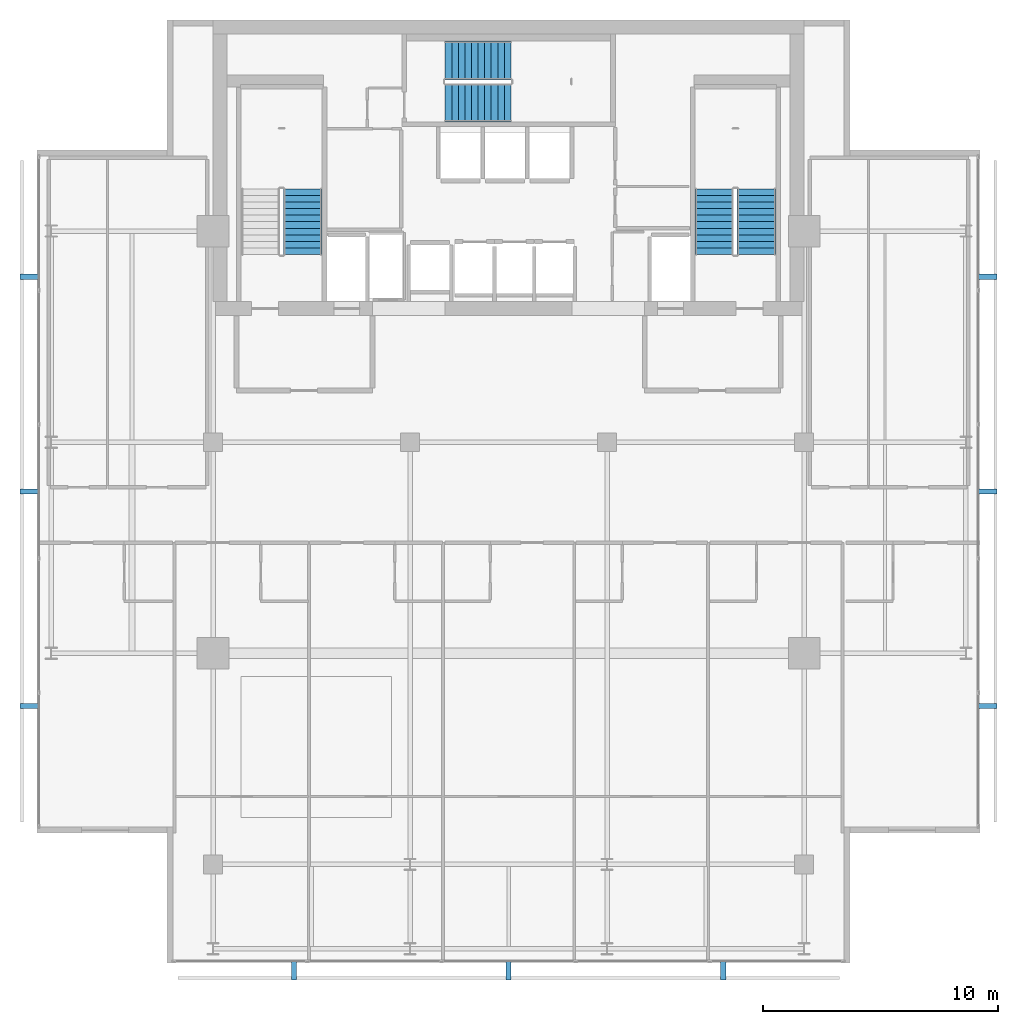
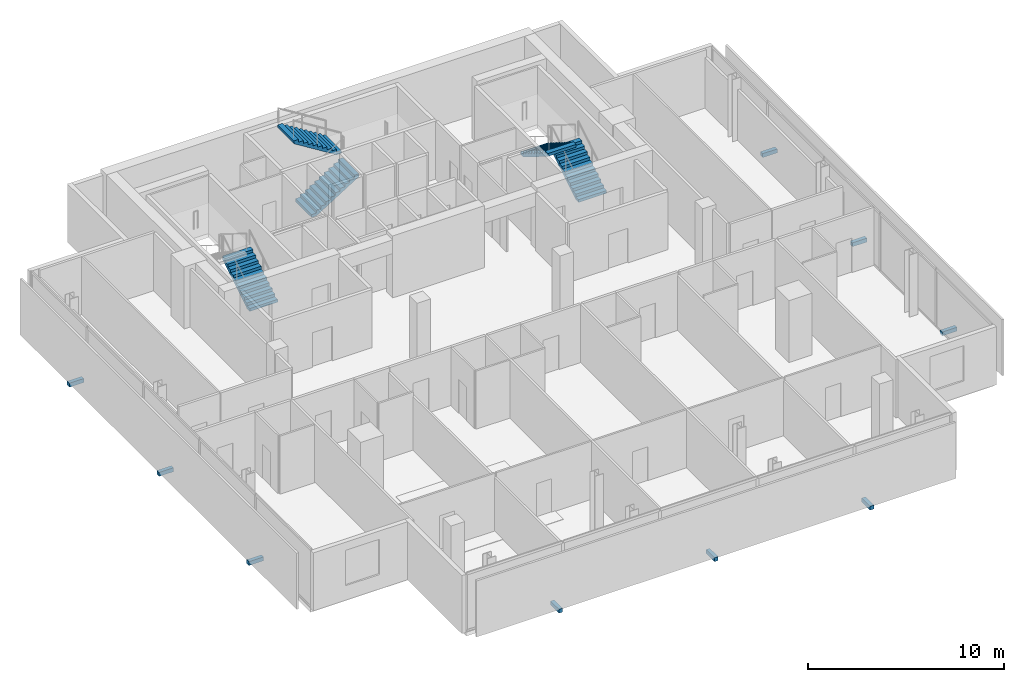
# One storey, part 20 of 24: 9 discrete accessories, 5 stair flights, 3 elements without a shape of their own.
"""IFC4 building model written with IfcOpenShell, lengths in metres."""

from ifc_helpers import new_model, si_unit, direction, frame, origin, origin_2d, place, context, subcontext, project, spatial, polyline, rectangle, outline, extrude, material, type_object, element, aggregate, save


model = new_model("IFC4")

# Units and contexts
model_context = context("Model", 3, precision=1e-05, world=origin(), true_north=direction((0.0, 1.0)))
body_context = subcontext(model_context, "Body", "Model", "MODEL_VIEW")
ifc_project = project(units=[si_unit("LENGTHUNIT", "METRE"), si_unit("AREAUNIT", "SQUARE_METRE"), si_unit("VOLUMEUNIT", "CUBIC_METRE"), si_unit("PLANEANGLEUNIT", "RADIAN"), si_unit("MASSUNIT", "GRAM", prefix="KILO")], contexts=[model_context])

# Site, building, storey
site_placement = place(None, origin())
site = spatial("IfcSite", under=ifc_project, at=site_placement, CompositionType="ELEMENT")
building_placement = place(site_placement, origin())
building = spatial("IfcBuilding", under=site, at=building_placement, Name="Maruvema Waterfront Hotel and Observation Tower", CompositionType="ELEMENT")
storey_placement = place(building_placement, frame((0.0, 0.0, 333.550048828125)))
storey = spatial("IfcBuildingStorey", under=building, at=storey_placement, Name="L82", CompositionType="ELEMENT", Elevation=333.550048828125)

# Stair, stair flight
ifc_material_1 = material(Name="Concrete C50/60", Category="concrete")
stair_type = type_object("IfcStairType", Name="Dogleg Exit Stair 1650 mm (22R x 175.0 mm)", PredefinedType="HALF_TURN_STAIR", material=ifc_material_1)
stair_1_placement = place(storey_placement, origin())
stair_1 = element("IfcStair", 1, at=stair_1_placement, inside=storey, type_object=stair_type, Name="L82 ST-01", PredefinedType="HALF_TURN_STAIR")
ifc_material_2 = material(Name="Concrete C50/60", Category="concrete")
stair_flight_type = type_object("IfcStairFlightType", Name="Reinforced Concrete Stair Flight 1650 mm (11R x 175.0 mm)", PredefinedType="STRAIGHT", material=ifc_material_2)
stair_flight_1_placement = place(storey_placement, frame((29.02490234375, 44.0, 0.0), z_axis=(0.0, 0.0, 1.0), x_axis=(0.0, 1.0, 0.0)))
stair_flight_1 = element("IfcStairFlight", 2, at=stair_flight_1_placement, type_object=stair_flight_type, Name="ST-01 flight 1", NumberOfRisers=11, NumberOfTreads=10, PredefinedType="STRAIGHT", RiserHeight=0.175, TreadLength=0.28, context=body_context, shape_type="SweptSolid", body=[
    extrude(outline(polyline([(0.0, 0.0), (0.0, 0.175048828125), (0.280029296875, 0.175048828125), (0.280029296875, 0.35009765625), (0.56005859375, 0.35009765625), (0.56005859375, 0.52490234375), (0.840087890625, 0.52490234375), (0.840087890625, 0.699951171875), (1.1201171875, 0.699951171875), (1.1201171875, 0.875), (1.39990234375, 0.875), (1.39990234375, 1.050048828125), (1.679931640625, 1.050048828125), (1.679931640625, 1.22509765625), (1.9599609375, 1.22509765625), (1.9599609375, 1.39990234375), (2.239990234375, 1.39990234375), (2.239990234375, 1.574951171875), (2.52001953125, 1.574951171875), (2.52001953125, 1.75), (2.800048828125, 1.75), (2.800048828125, 1.925048828125), (2.800048828125, 1.5732421875), (0.28271484375, 0.0), (0.0, 0.0)])), frame((0.0, 0.824951171875, 0.0), z_axis=(0.0, -1.0, 0.0), x_axis=(1.0, 0.0, 0.0)), (0.0, 0.0, 1.0), 1.64990234375),
])
aggregate(stair_1, [stair_flight_1])

# Stair, stair flights
stair_2_placement = place(storey_placement, origin())
stair_2 = element("IfcStair", 3, at=stair_2_placement, inside=storey, type_object=stair_type, Name="L82 ST-02", PredefinedType="HALF_TURN_STAIR")
stair_flight_2_placement = place(storey_placement, frame((35.10009765625, 50.47509765625, 0.0), z_axis=(0.0, 0.0, 1.0), x_axis=(1.0, 0.0, 0.0)))
stair_flight_2 = element("IfcStairFlight", 4, at=stair_flight_2_placement, type_object=stair_flight_type, Name="ST-02 flight 1", NumberOfRisers=11, NumberOfTreads=10, PredefinedType="STRAIGHT", RiserHeight=0.175, TreadLength=0.28, context=body_context, shape_type="SweptSolid", body=[
    extrude(outline(polyline([(0.0, 0.0), (0.0, 0.175048828125), (0.280029296875, 0.175048828125), (0.280029296875, 0.35009765625), (0.56005859375, 0.35009765625), (0.56005859375, 0.52490234375), (0.840087890625, 0.52490234375), (0.840087890625, 0.699951171875), (1.1201171875, 0.699951171875), (1.1201171875, 0.875), (1.39990234375, 0.875), (1.39990234375, 1.050048828125), (1.679931640625, 1.050048828125), (1.679931640625, 1.22509765625), (1.9599609375, 1.22509765625), (1.9599609375, 1.39990234375), (2.239990234375, 1.39990234375), (2.239990234375, 1.574951171875), (2.52001953125, 1.574951171875), (2.52001953125, 1.75), (2.800048828125, 1.75), (2.800048828125, 1.925048828125), (2.800048828125, 1.5732421875), (0.28271484375, 0.0), (0.0, 0.0)])), frame((0.0, 0.824951171875, 0.0), z_axis=(0.0, -1.0, 0.0), x_axis=(1.0, 0.0, 0.0)), (0.0, 0.0, 1.0), 1.64990234375),
])
stair_flight_3_placement = place(storey_placement, frame((37.89990234375, 52.27490234375, 1.925048828125), z_axis=(0.0, 0.0, 1.0), x_axis=(-1.0, 0.0, 0.0)))
stair_flight_3 = element("IfcStairFlight", 5, at=stair_flight_3_placement, type_object=stair_flight_type, Name="ST-02 flight 2", NumberOfRisers=11, NumberOfTreads=10, PredefinedType="STRAIGHT", RiserHeight=0.175, TreadLength=0.28, context=body_context, shape_type="SweptSolid", body=[
    extrude(outline(polyline([(0.0, 0.0), (0.0, 0.175048828125), (0.280029296875, 0.175048828125), (0.280029296875, 0.35009765625), (0.56005859375, 0.35009765625), (0.56005859375, 0.52490234375), (0.840087890625, 0.52490234375), (0.840087890625, 0.699951171875), (1.1201171875, 0.699951171875), (1.1201171875, 0.875), (1.39990234375, 0.875), (1.39990234375, 1.050048828125), (1.679931640625, 1.050048828125), (1.679931640625, 1.22509765625), (1.9599609375, 1.22509765625), (1.9599609375, 1.39990234375), (2.239990234375, 1.39990234375), (2.239990234375, 1.574951171875), (2.52001953125, 1.574951171875), (2.52001953125, 1.75), (2.800048828125, 1.75), (2.800048828125, 1.925048828125), (2.800048828125, 1.5732421875), (0.28271484375, 0.0), (0.0, 0.0)])), frame((0.0, 0.824951171875, 0.0), z_axis=(0.0, -1.0, 0.0), x_axis=(1.0, 0.0, 0.0)), (0.0, 0.0, 1.0), 1.64990234375),
])
aggregate(stair_2, [stair_flight_2, stair_flight_3])

stair_3_placement = place(storey_placement, origin())
stair_3 = element("IfcStair", 6, at=stair_3_placement, inside=storey, type_object=stair_type, Name="L82 ST-03", PredefinedType="HALF_TURN_STAIR")
stair_flight_4_placement = place(storey_placement, frame((48.375, 44.0, 0.0), z_axis=(0.0, 0.0, 1.0), x_axis=(0.0, 1.0, 0.0)))
stair_flight_4 = element("IfcStairFlight", 7, at=stair_flight_4_placement, type_object=stair_flight_type, Name="ST-03 flight 1", NumberOfRisers=11, NumberOfTreads=10, PredefinedType="STRAIGHT", RiserHeight=0.175, TreadLength=0.28, context=body_context, shape_type="SweptSolid", body=[
    extrude(outline(polyline([(0.0, 0.0), (0.0, 0.175048828125), (0.280029296875, 0.175048828125), (0.280029296875, 0.35009765625), (0.56005859375, 0.35009765625), (0.56005859375, 0.52490234375), (0.840087890625, 0.52490234375), (0.840087890625, 0.699951171875), (1.1201171875, 0.699951171875), (1.1201171875, 0.875), (1.39990234375, 0.875), (1.39990234375, 1.050048828125), (1.679931640625, 1.050048828125), (1.679931640625, 1.22509765625), (1.9599609375, 1.22509765625), (1.9599609375, 1.39990234375), (2.239990234375, 1.39990234375), (2.239990234375, 1.574951171875), (2.52001953125, 1.574951171875), (2.52001953125, 1.75), (2.800048828125, 1.75), (2.800048828125, 1.925048828125), (2.800048828125, 1.5732421875), (0.28271484375, 0.0), (0.0, 0.0)])), frame((0.0, 0.824951171875, 0.0), z_axis=(0.0, -1.0, 0.0), x_axis=(1.0, 0.0, 0.0)), (0.0, 0.0, 1.0), 1.64990234375),
])
stair_flight_5_placement = place(storey_placement, frame((46.574951171875, 46.800048828125, 1.925048828125), z_axis=(0.0, 0.0, 1.0), x_axis=(0.0, -1.0, 0.0)))
stair_flight_5 = element("IfcStairFlight", 8, at=stair_flight_5_placement, type_object=stair_flight_type, Name="ST-03 flight 2", NumberOfRisers=11, NumberOfTreads=10, PredefinedType="STRAIGHT", RiserHeight=0.175, TreadLength=0.28, context=body_context, shape_type="SweptSolid", body=[
    extrude(outline(polyline([(0.0, 0.0), (0.0, 0.175048828125), (0.280029296875, 0.175048828125), (0.280029296875, 0.35009765625), (0.56005859375, 0.35009765625), (0.56005859375, 0.52490234375), (0.840087890625, 0.52490234375), (0.840087890625, 0.699951171875), (1.1201171875, 0.699951171875), (1.1201171875, 0.875), (1.39990234375, 0.875), (1.39990234375, 1.050048828125), (1.679931640625, 1.050048828125), (1.679931640625, 1.22509765625), (1.9599609375, 1.22509765625), (1.9599609375, 1.39990234375), (2.239990234375, 1.39990234375), (2.239990234375, 1.574951171875), (2.52001953125, 1.574951171875), (2.52001953125, 1.75), (2.800048828125, 1.75), (2.800048828125, 1.925048828125), (2.800048828125, 1.5732421875), (0.28271484375, 0.0), (0.0, 0.0)])), frame((0.0, 0.824951171875, 0.0), z_axis=(0.0, -1.0, 0.0), x_axis=(1.0, 0.0, 0.0)), (0.0, 0.0, 1.0), 1.64990234375),
])
aggregate(stair_3, [stair_flight_4, stair_flight_5])

# Discrete accessories
ifc_material_3 = material(Name="Duplex stainless steel Grade 2205", Category="steel")
discrete_accessory_type = type_object("IfcDiscreteAccessoryType", Name="Double-Skin Cavity Stainless Outrigger Bracket", PredefinedType="BRACKET", material=ifc_material_3)
for number, where, z_axis, x_axis, name in (
    (9, (28.64794921875, 13.5, -0.14013671875), (0.0, 0.0, 1.0), (1.0, 0.0, 0.0), "L82 Outer Skin Support Bracket 1"),
    (10, (37.800048828125, 13.5, -0.14013671875), (0.0, 0.0, 1.0), (1.0, 0.0, 0.0), "L82 Outer Skin Support Bracket 2"),
    (11, (46.951904296875, 13.5, -0.14013671875), (0.0, 0.0, 1.0), (1.0, 0.0, 0.0), "L82 Outer Skin Support Bracket 3"),
    (12, (58.199951171875, 24.748046875, -0.14013671875), (0.0, 0.0, 1.0), (0.0, 1.0, 0.0), "L82 Outer Skin Support Bracket 1"),
    (13, (58.199951171875, 33.89990234375, -0.14013671875), (0.0, 0.0, 1.0), (0.0, 1.0, 0.0), "L82 Outer Skin Support Bracket 2"),
    (14, (58.199951171875, 43.052001953125, -0.14013671875), (0.0, 0.0, 1.0), (0.0, 1.0, 0.0), "L82 Outer Skin Support Bracket 3"),
    (15, (17.39990234375, 43.052001953125, -0.14013671875), (0.0, 0.0, 1.0), (0.0, -1.0, 0.0), "L82 Outer Skin Support Bracket 1"),
    (16, (17.39990234375, 33.89990234375, -0.14013671875), (0.0, 0.0, 1.0), (0.0, -1.0, 0.0), "L82 Outer Skin Support Bracket 2"),
    (17, (17.39990234375, 24.748046875, -0.14013671875), (0.0, 0.0, 1.0), (0.0, -1.0, 0.0), "L82 Outer Skin Support Bracket 3"),
):
    element("IfcDiscreteAccessory", number, at=place(storey_placement, frame(where, z_axis=z_axis, x_axis=x_axis)), inside=storey, type_object=discrete_accessory_type, Name=name, PredefinedType="BRACKET", context=body_context, shape_type="SweptSolid", body=[
        extrude(rectangle(XDim=0.219970703125, YDim=0.860107421875, at=origin_2d()), origin(), (0.0, 0.0, 1.0), 0.239990234375),
    ])

save(model, "model.ifc")
